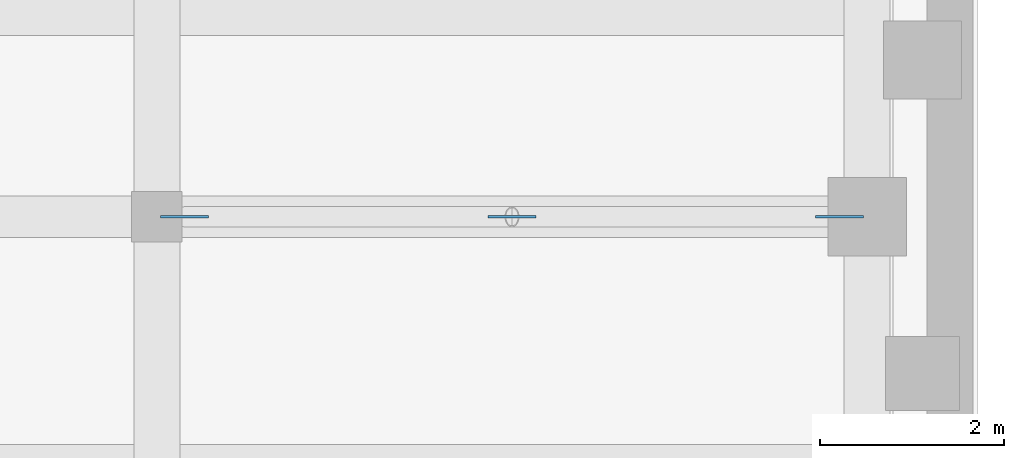
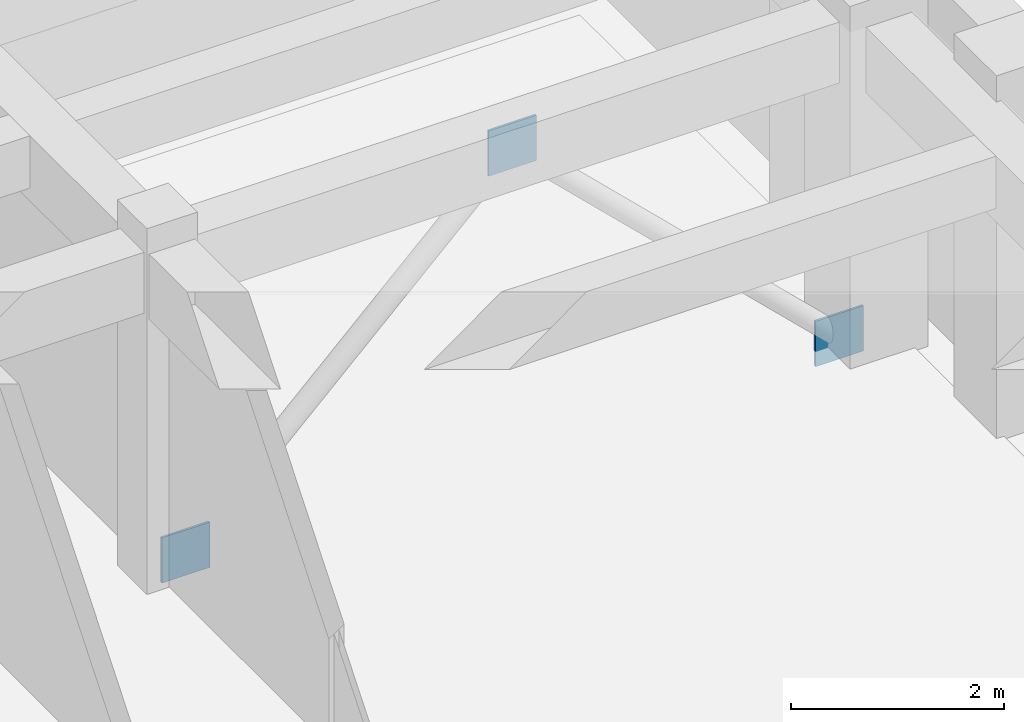
# One storey, part 11 of 35: 3 plates.
"""IFC4 building model written with IfcOpenShell, lengths in metres."""

from ifc_helpers import new_model, si_unit, direction, frame, origin, origin_2d, place, context, subcontext, project, spatial, rectangle, extrude, material, layer, layer_set, type_object, element, save


model = new_model("IFC4")

# Units and contexts
model_context = context("Model", 3, precision=1e-05, world=origin(), true_north=direction((0.0, 1.0)))
body_context = subcontext(model_context, "Body", "Model", "MODEL_VIEW")
ifc_project = project(units=[si_unit("LENGTHUNIT", "METRE"), si_unit("AREAUNIT", "SQUARE_METRE"), si_unit("VOLUMEUNIT", "CUBIC_METRE"), si_unit("PLANEANGLEUNIT", "RADIAN"), si_unit("MASSUNIT", "GRAM", prefix="KILO"), si_unit("THERMODYNAMICTEMPERATUREUNIT", "KELVIN"), si_unit("POWERUNIT", "WATT")], contexts=[model_context])

# Site, building, storey
site_placement = place(None, origin())
site = spatial("IfcSite", under=ifc_project, at=site_placement, CompositionType="ELEMENT")
building_placement = place(site_placement, origin())
building = spatial("IfcBuilding", under=site, at=building_placement, Name="Solvatero Civic Police Headquarters", CompositionType="ELEMENT")
storey_placement = place(building_placement, frame((0.0, 0.0, -4.199951171875)))
storey = spatial("IfcBuildingStorey", under=building, at=storey_placement, Name="B01", CompositionType="ELEMENT", Elevation=-4.199951171875)

# Plates
ifc_material = material(Name="Steel S355", Category="steel")
ifc_layer = layer(ifc_material, 0.02490234375)
ifc_layer_set = layer_set([ifc_layer], Name="Steel S355")
plate_type = type_object("IfcPlateType", Name="PLT-GUS-25", PredefinedType="SHEET", material=ifc_layer_set)
for number, where, z_axis, x_axis, name in (
    (1, (24.35009765625, 68.5, 3.2900390625), (0.0, 0.0, 1.0), (1.0, 0.0, 0.0), "Gusset Plate BR-V6-INT2 APX B01"),
    (2, (20.800048828125, 68.5, -0.14013671875), (0.0, 0.0, 1.0), (1.0, 0.0, 0.0), "Gusset Plate BR-V6-INT2 BSL B01"),
    (3, (27.89990234375, 68.5, -0.14013671875), (0.0, 0.0, 1.0), (1.0, 0.0, 0.0), "Gusset Plate BR-V6-INT2 BSR B01"),
):
    element("IfcPlate", number, at=place(storey_placement, frame(where, z_axis=z_axis, x_axis=x_axis)), inside=storey, type_object=plate_type, Name=name, PredefinedType="SHEET", context=body_context, shape_type="SweptSolid", body=[
        extrude(rectangle(XDim=0.52001953125, YDim=0.02490234375, at=origin_2d()), origin(), (0.0, 0.0, 1.0), 0.52001953125),
    ])

save(model, "model.ifc")
